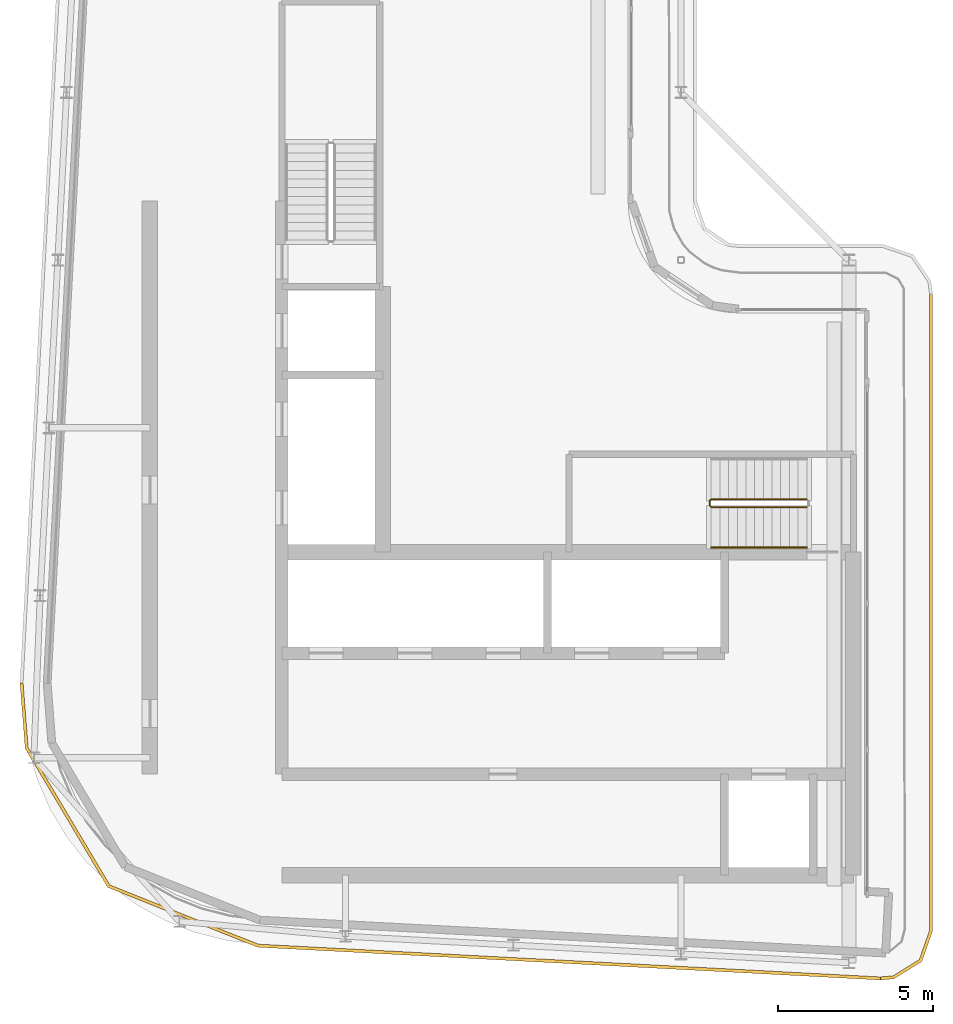
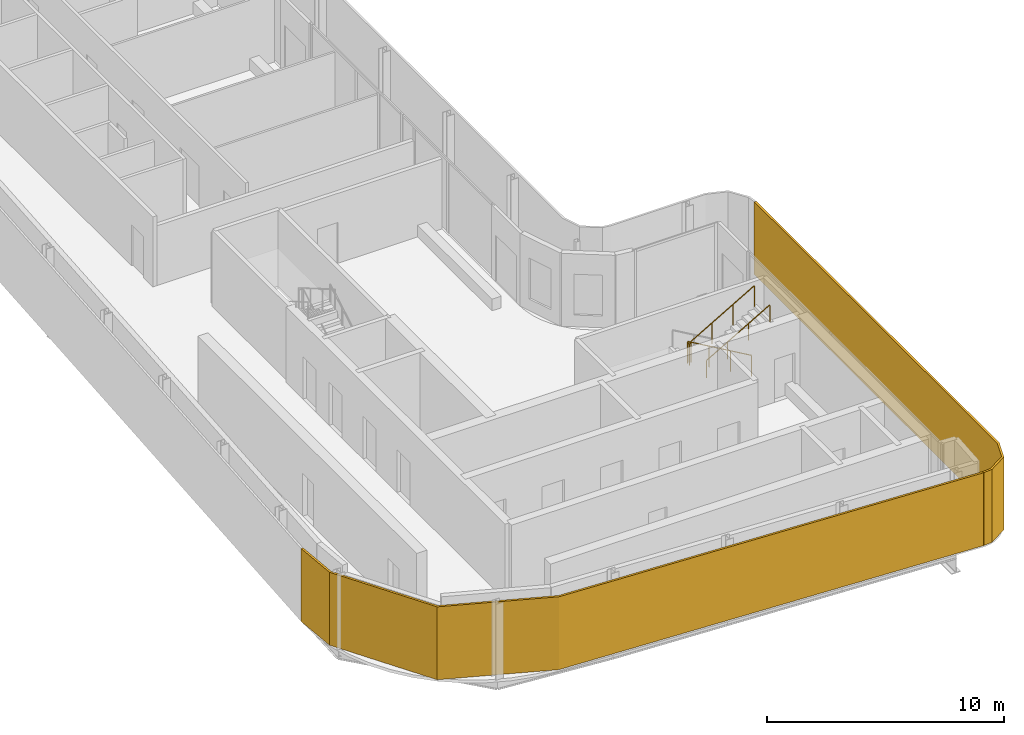
# One storey, part 13 of 18: 2 railings, 2 shading devices.
"""IFC4 building model written with IfcOpenShell, lengths in metres."""

from ifc_helpers import new_model, si_unit, direction, frame, origin, origin_2d, place, context, subcontext, project, spatial, polyline, circle, outline, extrude, material, layer, layer_set, type_object, element, save


model = new_model("IFC4")

# Units and contexts
model_context = context("Model", 3, precision=1e-05, world=origin(), true_north=direction((0.0, 1.0)))
body_context = subcontext(model_context, "Body", "Model", "MODEL_VIEW")
ifc_project = project(units=[si_unit("LENGTHUNIT", "METRE"), si_unit("AREAUNIT", "SQUARE_METRE"), si_unit("VOLUMEUNIT", "CUBIC_METRE"), si_unit("PLANEANGLEUNIT", "RADIAN"), si_unit("MASSUNIT", "GRAM", prefix="KILO")], contexts=[model_context])

# Site, building, storey
site_placement = place(None, origin())
site = spatial("IfcSite", under=ifc_project, at=site_placement, CompositionType="ELEMENT")
building_placement = place(site_placement, origin())
building = spatial("IfcBuilding", under=site, at=building_placement, Name="Kheshtan School and Residences Tower", CompositionType="ELEMENT")
storey_placement = place(building_placement, frame((0.0, 0.0, 381.199951171875)))
storey = spatial("IfcBuildingStorey", under=building, at=storey_placement, Name="L90", CompositionType="ELEMENT", Elevation=381.199951171875)

# Shading devices
ifc_material_1 = material(Name="Terracotta baguette, extruded ceramic", Category="masonry")
ifc_layer_1 = layer(ifc_material_1, 0.10009765625)
ifc_layer_set_1 = layer_set([ifc_layer_1], Name="Ledge screen, terracotta baguettes")
shading_device_type_1 = type_object("IfcShadingDeviceType", Name="Ledge screen, terracotta baguettes", PredefinedType="USERDEFINED", material=ifc_layer_set_1)
shading_device_1_placement = place(storey_placement, origin())
element("IfcShadingDevice", 1, at=shading_device_1_placement, inside=storey, type_object=shading_device_type_1, Name="Screen L90 3", ObjectType="BAGUETTE", PredefinedType="USERDEFINED", context=body_context, shape_type="SweptSolid", body=[
    extrude(outline(polyline([(54.02099609375, 22.52490234375), (33.989013671875, 23.580078125), (29.2119140625, 25.486083984375), (26.583984375, 29.906982421875), (26.419921875, 31.989013671875), (26.320068359375, 31.98095703125), (26.486083984375, 29.8759765625), (29.14306640625, 25.406005859375), (33.967041015625, 23.48095703125), (54.01611328125, 22.425048828125), (54.02099609375, 22.52490234375)])), origin(), (0.0, 0.0, 1.0), 3.75),
])
ifc_material_2 = material(Name="Terracotta lattice, extruded ceramic", Category="masonry")
ifc_layer_2 = layer(ifc_material_2, 0.10009765625)
ifc_layer_set_2 = layer_set([ifc_layer_2], Name="Loggia screen, terracotta lattice")
shading_device_type_2 = type_object("IfcShadingDeviceType", Name="Loggia screen, terracotta lattice", PredefinedType="USERDEFINED", material=ifc_layer_set_2)
shading_device_2_placement = place(storey_placement, origin())
element("IfcShadingDevice", 2, at=shading_device_2_placement, inside=storey, type_object=shading_device_type_2, Name="Screen L90 2", ObjectType="SCREEN", PredefinedType="USERDEFINED", context=body_context, shape_type="SweptSolid", body=[
    extrude(outline(polyline([(55.60009765625, 44.5), (55.60009765625, 24.02294921875), (55.27001953125, 23.083984375), (54.424072265625, 22.55908203125), (54.02099609375, 22.52490234375), (54.029052734375, 22.425048828125), (54.4560546875, 22.4609375), (55.35302734375, 23.01806640625), (55.699951171875, 24.006103515625), (55.699951171875, 44.5), (55.60009765625, 44.5)])), origin(), (0.0, 0.0, 1.0), 3.75),
])

# Railings
ifc_material_3 = material(Name="Stainless steel balustrade", Category="steel")
railing_type_1 = type_object("IfcRailingType", Name="Stair guard 1100", PredefinedType="GUARDRAIL", material=ifc_material_3)
railing_1_placement = place(storey_placement, frame((51.64990234375, 37.89990234375, 0.16259765625)))
element("IfcRailing", 3, at=railing_1_placement, inside=storey, type_object=railing_type_1, Name="L90 ST1 stair guard 1", PredefinedType="GUARDRAIL", context=body_context, shape_type="SweptSolid", body=[
    extrude(circle(Radius=0.02392578125, at=origin_2d()), frame((0.0, 0.0, 1.076171875), z_axis=(-0.864903211148, 0.0, 0.501938676878), x_axis=(0.0, -1.0, 0.0)), (0.0, 0.0, 1.0), 3.560791015625),
    extrude(circle(Radius=0.02392578125, at=origin_2d()), frame((-3.079833984375, 0.0, 2.86328125), z_axis=(-0.708833529934, -0.705375805398, 0.0), x_axis=(0.705375805398, -0.708833529934, 0.0)), (0.0, 0.0, 1.0), 0.070556640625),
    extrude(circle(Radius=0.02392578125, at=origin_2d()), frame((-3.1298828125, -0.0498046875, 2.86328125), z_axis=(0.0, -1.0, 0.0), x_axis=(1.0, 0.0, 0.0)), (0.0, 0.0, 1.0), 0.150146484375),
    extrude(circle(Radius=0.02392578125, at=origin_2d()), frame((-3.1298828125, -0.199951171875, 2.86328125), z_axis=(0.282227285176, -0.282227285176, 0.916894497205), x_axis=(0.707106781187, 0.707106781187, 0.0)), (0.0, 0.0, 1.0), 0.17724609375),
    extrude(circle(Radius=0.02392578125, at=origin_2d()), frame((-3.079833984375, -0.25, 3.02587890625), z_axis=(0.864873446163, 0.0, 0.501989962173), x_axis=(0.0, 1.0, 0.0)), (0.0, 0.0, 1.0), 3.56103515625),
    extrude(circle(Radius=0.02099609375, at=origin_2d()), origin(), (0.0, 0.0, 1.0), 1.052001953125),
    extrude(circle(Radius=0.02099609375, at=origin_2d()), frame((-1.026611328125, 0.0, 0.595703125)), (0.0, 0.0, 1.0), 1.052001953125),
    extrude(circle(Radius=0.02099609375, at=origin_2d()), frame((-2.05322265625, 0.0, 1.191650390625)), (0.0, 0.0, 1.0), 1.052001953125),
    extrude(circle(Radius=0.02099609375, at=origin_2d()), frame((-3.079833984375, 0.0, 1.787353515625)), (0.0, 0.0, 1.0), 1.052001953125),
    extrude(circle(Radius=0.02099609375, at=origin_2d()), frame((-3.1298828125, -0.0498046875, 1.787353515625)), (0.0, 0.0, 1.0), 1.052001953125),
    extrude(circle(Radius=0.02099609375, at=origin_2d()), frame((-3.1298828125, -0.199951171875, 1.787353515625)), (0.0, 0.0, 1.0), 1.052001953125),
    extrude(circle(Radius=0.02099609375, at=origin_2d()), frame((-3.079833984375, -0.25, 1.949951171875)), (0.0, 0.0, 1.0), 1.052001953125),
    extrude(circle(Radius=0.02099609375, at=origin_2d()), frame((-2.05322265625, -0.25, 2.5458984375)), (0.0, 0.0, 1.0), 1.052001953125),
    extrude(circle(Radius=0.02099609375, at=origin_2d()), frame((-1.026611328125, -0.25, 3.1416015625)), (0.0, 0.0, 1.0), 1.052001953125),
    extrude(circle(Radius=0.02099609375, at=origin_2d()), frame((0.0, -0.25, 3.737548828125)), (0.0, 0.0, 1.0), 1.052001953125),
])
ifc_material_4 = material(Name="Stainless steel handrail", Category="steel")
railing_type_2 = type_object("IfcRailingType", Name="Stair handrail 900", PredefinedType="HANDRAIL", material=ifc_material_4)
railing_2_placement = place(storey_placement, frame((48.570068359375, 36.35009765625, 2.112548828125)))
element("IfcRailing", 4, at=railing_2_placement, inside=storey, type_object=railing_type_2, Name="L90 ST1 stair handrail 2", PredefinedType="HANDRAIL", context=body_context, shape_type="SweptSolid", body=[
    extrude(circle(Radius=0.02392578125, at=origin_2d()), frame((0.0, 0.0, 0.8759765625), z_axis=(0.864873446163, 0.0, 0.501989962173), x_axis=(0.0, 1.0, 0.0)), (0.0, 0.0, 1.0), 3.56103515625),
    extrude(circle(Radius=0.02099609375, at=origin_2d()), origin(), (0.0, 0.0, 1.0), 0.851806640625),
    extrude(circle(Radius=0.02099609375, at=origin_2d()), frame((1.026611328125, 0.0, 0.595947265625)), (0.0, 0.0, 1.0), 0.851806640625),
    extrude(circle(Radius=0.02099609375, at=origin_2d()), frame((2.05322265625, 0.0, 1.191650390625)), (0.0, 0.0, 1.0), 0.851806640625),
    extrude(circle(Radius=0.02099609375, at=origin_2d()), frame((3.079833984375, 0.0, 1.78759765625)), (0.0, 0.0, 1.0), 0.851806640625),
])

save(model, "model.ifc")
